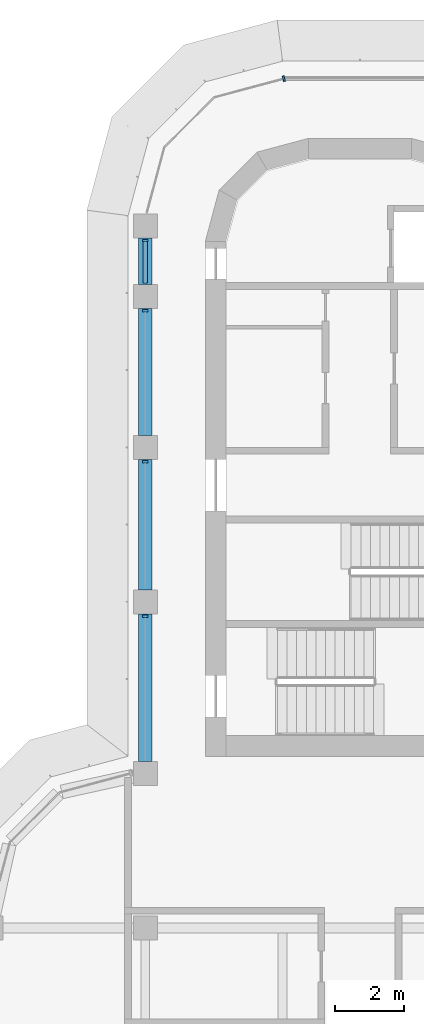
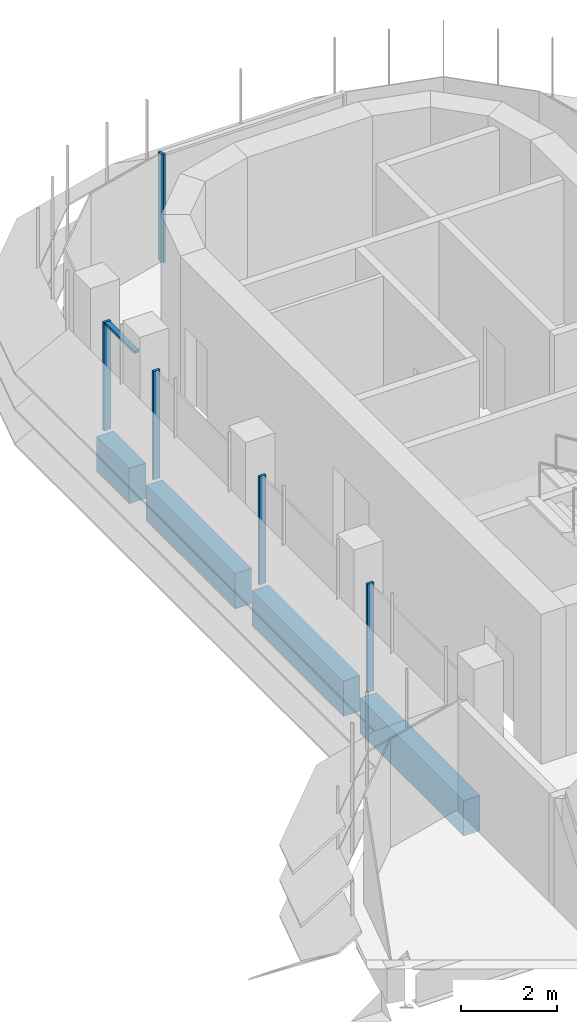
# One storey, part 7 of 19: 6 members, 4 beams, 2 elements without a shape of their own.
"""IFC4 building model written with IfcOpenShell, lengths in metres."""

from ifc_helpers import new_model, si_unit, direction, frame, origin, origin_2d, place, context, subcontext, project, spatial, polyline, rectangle, outline, extrude, source, transform, mapped, material, material_profile, profile_set, type_object, element, aggregate, save


model = new_model("IFC4")

# Units and contexts
model_context = context("Model", 3, precision=1e-05, world=origin(), true_north=direction((0.0, 1.0)))
body_context = subcontext(model_context, "Body", "Model", "MODEL_VIEW")
ifc_project = project(units=[si_unit("LENGTHUNIT", "METRE"), si_unit("AREAUNIT", "SQUARE_METRE"), si_unit("VOLUMEUNIT", "CUBIC_METRE"), si_unit("PLANEANGLEUNIT", "RADIAN"), si_unit("MASSUNIT", "GRAM", prefix="KILO")], contexts=[model_context])

# Site, building, storey
site_placement = place(None, origin())
site = spatial("IfcSite", under=ifc_project, at=site_placement, CompositionType="ELEMENT")
building_placement = place(site_placement, origin())
building = spatial("IfcBuilding", under=site, at=building_placement, Name="Zarbagh Exchange Tower", CompositionType="ELEMENT")
storey_placement = place(building_placement, frame((0.0, 0.0, 203.0)))
storey = spatial("IfcBuildingStorey", under=building, at=storey_placement, Name="L49", CompositionType="ELEMENT", Elevation=203.0)

# Beams
ifc_material_1 = material(Name="Concrete C50/60", Category="concrete")
ifc_material_profile = material_profile(ifc_material_1, rectangle(XDim=0.39990234375, YDim=0.89990234375, at=origin_2d()), Name="RC spandrel beam 400 x 900 C50/60")
ifc_profile_set = profile_set([ifc_material_profile], Name="Concrete C50/60")
beam_type = type_object("IfcBeamType", Name="RC spandrel beam 400 x 900 C50/60", PredefinedType="SPANDREL", material=ifc_profile_set)
beam_1_placement = place(storey_placement, frame((-6.25, 11.10009765625, -0.60009765625), z_axis=(0.0, 1.0, 0.0), x_axis=(-1.0, 0.0, 0.0)))
element("IfcBeam", 1, at=beam_1_placement, inside=storey, type_object=beam_type, Name="RC spandrel beam", PredefinedType="SPANDREL", context=body_context, shape_type="SweptSolid", body=[
    extrude(rectangle(XDim=0.39990234375, YDim=0.89990234375, at=origin_2d()), origin(), (0.0, 0.0, 1.0), 4.2998046875),
])
beam_2_placement = place(storey_placement, frame((-6.25, 16.10009765625, -0.60009765625), z_axis=(0.0, 1.0, 0.0), x_axis=(-1.0, 0.0, 0.0)))
element("IfcBeam", 2, at=beam_2_placement, inside=storey, type_object=beam_type, Name="RC spandrel beam", PredefinedType="SPANDREL", context=body_context, shape_type="SweptSolid", body=[
    extrude(rectangle(XDim=0.39990234375, YDim=0.89990234375, at=origin_2d()), origin(), (0.0, 0.0, 1.0), 3.7998046875),
])
beam_3_placement = place(storey_placement, frame((-6.25, 20.60009765625, -0.60009765625), z_axis=(0.0, 1.0, 0.0), x_axis=(-1.0, 0.0, 0.0)))
element("IfcBeam", 3, at=beam_3_placement, inside=storey, type_object=beam_type, Name="RC spandrel beam", PredefinedType="SPANDREL", context=body_context, shape_type="SweptSolid", body=[
    extrude(rectangle(XDim=0.39990234375, YDim=0.89990234375, at=origin_2d()), origin(), (0.0, 0.0, 1.0), 3.699951171875),
])
beam_4_placement = place(storey_placement, frame((-6.25, 25.0, -0.60009765625), z_axis=(0.0, 1.0, 0.0), x_axis=(-1.0, 0.0, 0.0)))
element("IfcBeam", 4, at=beam_4_placement, inside=storey, type_object=beam_type, Name="RC spandrel beam", PredefinedType="SPANDREL", context=body_context, shape_type="SweptSolid", body=[
    extrude(rectangle(XDim=0.39990234375, YDim=0.89990234375, at=origin_2d()), origin(), (0.0, 0.0, 1.0), 1.35009765625),
])

# Curtain wall, member
ifc_material_2 = material(Name="Anodised aluminium frame and glazing", Category="aluminium")
curtain_wall_type = type_object("IfcCurtainWallType", Name="CWB Ribbon glazing, upper zones", PredefinedType="NOTDEFINED", material=ifc_material_2)
curtain_wall_1_placement = place(storey_placement, origin())
curtain_wall_1 = element("IfcCurtainWall", 5, at=curtain_wall_1_placement, inside=storey, type_object=curtain_wall_type, Name="CWB25 curtain wall", PredefinedType="NOTDEFINED")
ifc_material_3 = material(Name="Anodised aluminium frame", Category="aluminium")
member_type_1 = type_object("IfcMemberType", Name="MUB Mullion, anodised aluminium frame", PredefinedType="MULLION", material=ifc_material_3)
shared_shape_1 = source(origin(), body_context, "Body", "SweptSolid", [
    extrude(outline(polyline([(0.0, -0.080078125), (0.06005859375, -0.080078125), (0.06005859375, 0.080078125), (0.0, 0.080078125), (0.0, -0.080078125)])), origin(), (0.0, 0.0, 1.0), 2.75),
])
placement = place(storey_placement, origin())
member_1 = element("IfcMember", 6, at=placement, type_object=member_type_1, Name="CWB25 mullion 1.1", PredefinedType="MULLION", context=body_context, shape_type="MappedRepresentation", body=[
    mapped(shared_shape_1, transform((-2.18408203125, 31.0, 0.0), x_axis=(-0.965924289636, -0.258824779902, 0.0), y_axis=(0.258824779902, -0.965924289636, 0.0), z_axis=(0.0, 0.0, 1.0))),
])
aggregate(curtain_wall_1, [member_1])

# Curtain wall, members
curtain_wall_2_placement = place(storey_placement, origin())
curtain_wall_2 = element("IfcCurtainWall", 7, at=curtain_wall_2_placement, inside=storey, type_object=curtain_wall_type, Name="CWB28 curtain wall", PredefinedType="NOTDEFINED")
member_2 = element("IfcMember", 8, at=placement, type_object=member_type_1, Name="CWB28 mullion 1.1", PredefinedType="MULLION", context=body_context, shape_type="MappedRepresentation", body=[
    mapped(shared_shape_1, transform((-6.25, 26.31005859375, 0.0), x_axis=(0.0, -1.0, 0.0), y_axis=(1.0, 0.0, 0.0), z_axis=(0.0, 0.0, 1.0))),
])
member_3 = element("IfcMember", 9, at=placement, type_object=member_type_1, Name="CWB28 mullion 2.1", PredefinedType="MULLION", context=body_context, shape_type="MappedRepresentation", body=[
    mapped(shared_shape_1, transform((-6.25, 24.260009765625, 0.0), x_axis=(0.0, -1.0, 0.0), y_axis=(1.0, 0.0, 0.0), z_axis=(0.0, 0.0, 1.0))),
])
member_4 = element("IfcMember", 10, at=placement, type_object=member_type_1, Name="CWB28 mullion 3.1", PredefinedType="MULLION", context=body_context, shape_type="MappedRepresentation", body=[
    mapped(shared_shape_1, transform((-6.25, 19.85986328125, 0.0), x_axis=(0.0, -1.0, 0.0), y_axis=(1.0, 0.0, 0.0), z_axis=(0.0, 0.0, 1.0))),
])
member_5 = element("IfcMember", 11, at=placement, type_object=member_type_1, Name="CWB28 mullion 4.1", PredefinedType="MULLION", context=body_context, shape_type="MappedRepresentation", body=[
    mapped(shared_shape_1, transform((-6.25, 15.35986328125, 0.0), x_axis=(0.0, -1.0, 0.0), y_axis=(1.0, 0.0, 0.0), z_axis=(0.0, 0.0, 1.0))),
])
member_type_2 = type_object("IfcMemberType", Name="TRB Transom, anodised aluminium frame", PredefinedType="USERDEFINED", material=ifc_material_3)
shared_shape_2 = source(origin(), body_context, "Body", "SweptSolid", [
    extrude(outline(polyline([(-0.06005859375, -0.06005859375), (0.0, -0.06005859375), (0.0, 0.06005859375), (-0.06005859375, 0.06005859375), (-0.06005859375, -0.06005859375)])), origin(), (0.0, 0.0, 1.0), 1.2099609375),
])
member_6 = element("IfcMember", 12, at=placement, type_object=member_type_2, Name="CWB28 transom 1.1", ObjectType="TRANSOM", PredefinedType="USERDEFINED", context=body_context, shape_type="MappedRepresentation", body=[
    mapped(shared_shape_2, transform((-6.25, 26.25, 2.75), x_axis=(0.0, 0.0, 1.0), y_axis=(-1.0, 0.0, 0.0), z_axis=(0.0, -1.0, 0.0))),
])
aggregate(curtain_wall_2, [member_2, member_6, member_3, member_4, member_5])

save(model, "model.ifc")
